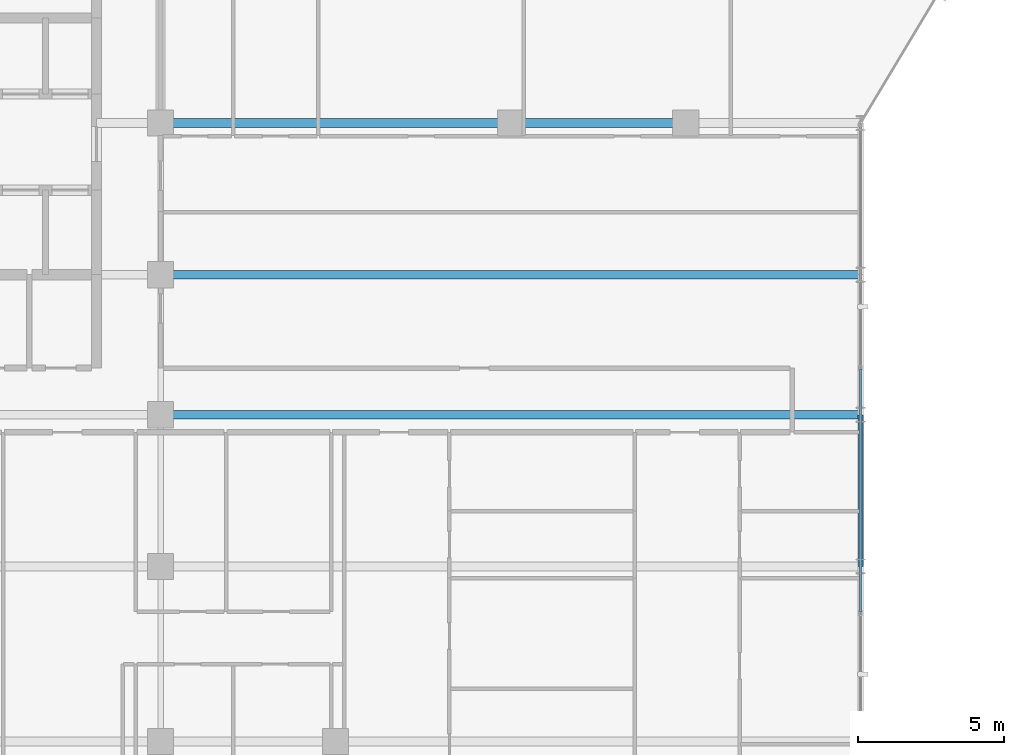
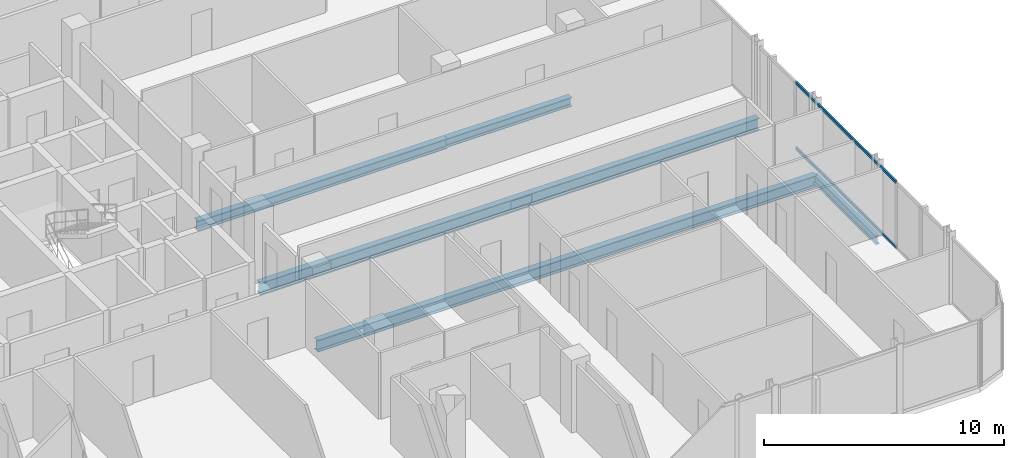
# One storey, part 12 of 31: 5 beams, 2 members, 1 element without a shape of its own.
"""IFC4 building model written with IfcOpenShell, lengths in metres."""

from ifc_helpers import new_model, si_unit, direction, frame, origin, origin_2d, place, context, subcontext, project, spatial, hollow_rectangle, i_section, extrude, material, layer, layer_set, material_profile, profile_set, type_object, element, aggregate, save


model = new_model("IFC4")

# Units and contexts
model_context = context("Model", 3, precision=1e-05, world=origin(), true_north=direction((0.0, 1.0)))
body_context = subcontext(model_context, "Body", "Model", "MODEL_VIEW")
ifc_project = project(units=[si_unit("LENGTHUNIT", "METRE"), si_unit("AREAUNIT", "SQUARE_METRE"), si_unit("VOLUMEUNIT", "CUBIC_METRE"), si_unit("PLANEANGLEUNIT", "RADIAN"), si_unit("MASSUNIT", "GRAM", prefix="KILO")], contexts=[model_context])

# Site, building, storey
site_placement = place(None, origin())
site = spatial("IfcSite", under=ifc_project, at=site_placement, CompositionType="ELEMENT")
building_placement = place(site_placement, origin())
building = spatial("IfcBuilding", under=site, at=building_placement, Name="Keshet Zoharim Tower", CompositionType="ELEMENT")
storey_placement = place(building_placement, frame((0.0, 0.0, 133.5)))
storey = spatial("IfcBuildingStorey", under=building, at=storey_placement, Name="L32", CompositionType="ELEMENT", Elevation=133.5)

# Beams
ifc_material_1 = material(Name="Steel S355", Category="steel")
ifc_material_profile_1 = material_profile(ifc_material_1, i_section(OverallWidth=0.300048828125, OverallDepth=0.60009765625, WebThickness=0.015380859375, FlangeThickness=0.030029296875, FilletRadius=0.027099609375, at=origin_2d()), Name="HEB600")
ifc_profile_set_1 = profile_set([ifc_material_profile_1], Name="Steel S355")
beam_type_1 = type_object("IfcBeamType", Name="BM-LNG-HB600", PredefinedType="BEAM", material=ifc_profile_set_1)
for number, where, z_axis, x_axis, name in (
    (1, (33.0, 17.89990234375, -0.614990234375), (1.0, 0.0, 0.0), (0.0, 1.0, 0.0), "L32 Primary Girder X-013"),
    (2, (33.0, 22.699951171875, -0.614990234375), (1.0, 0.0, 0.0), (0.0, 1.0, 0.0), "L32 Primary Girder X-014"),
):
    element("IfcBeam", number, at=place(storey_placement, frame(where, z_axis=z_axis, x_axis=x_axis)), inside=storey, type_object=beam_type_1, Name=name, PredefinedType="BEAM", context=body_context, shape_type="SweptSolid", body=[
        extrude(i_section(OverallWidth=0.300048828125, OverallDepth=0.60009765625, WebThickness=0.015380859375, FlangeThickness=0.030029296875, FilletRadius=0.027099609375, at=origin_2d()), origin(), (0.0, 0.0, 1.0), 24.0),
    ])
ifc_material_profile_2 = material_profile(ifc_material_1, i_section(OverallWidth=0.300048828125, OverallDepth=0.5, WebThickness=0.014404296875, FlangeThickness=0.028076171875, FilletRadius=0.027099609375, at=origin_2d()), Name="HEB500")
ifc_profile_set_2 = profile_set([ifc_material_profile_2], Name="Steel S355")
beam_type_2 = type_object("IfcBeamType", Name="BM-MED-HB500", PredefinedType="BEAM", material=ifc_profile_set_2)
beam_1_placement = place(storey_placement, frame((33.0, 27.89990234375, -0.56494140625), z_axis=(1.0, 0.0, 0.0), x_axis=(0.0, 1.0, 0.0)))
element("IfcBeam", 3, at=beam_1_placement, inside=storey, type_object=beam_type_2, Name="L32 Primary Girder X-015", PredefinedType="BEAM", context=body_context, shape_type="SweptSolid", body=[
    extrude(i_section(OverallWidth=0.300048828125, OverallDepth=0.5, WebThickness=0.014404296875, FlangeThickness=0.028076171875, FilletRadius=0.027099609375, at=origin_2d()), origin(), (0.0, 0.0, 1.0), 12.0),
])
ifc_material_profile_3 = material_profile(ifc_material_1, i_section(OverallWidth=0.18994140625, OverallDepth=0.449951171875, WebThickness=0.009521484375, FlangeThickness=0.0146484375, FilletRadius=0.02099609375, at=origin_2d()), Name="IPE450")
ifc_profile_set_3 = profile_set([ifc_material_profile_3], Name="Steel S355")
beam_type_3 = type_object("IfcBeamType", Name="BM-PRI-IP450", PredefinedType="BEAM", material=ifc_profile_set_3)
beam_2_placement = place(storey_placement, frame((57.0, 12.699951171875, -0.5400390625), z_axis=(0.0, 1.0, 0.0), x_axis=(-1.0, 0.0, 0.0)))
element("IfcBeam", 4, at=beam_2_placement, inside=storey, type_object=beam_type_3, Name="L32 Primary Girder Y-014", PredefinedType="BEAM", context=body_context, shape_type="SweptSolid", body=[
    extrude(i_section(OverallWidth=0.18994140625, OverallDepth=0.449951171875, WebThickness=0.009521484375, FlangeThickness=0.0146484375, FilletRadius=0.02099609375, at=origin_2d()), origin(), (0.0, 0.0, 1.0), 5.199951171875),
])
ifc_material_profile_4 = material_profile(ifc_material_1, i_section(OverallWidth=0.300048828125, OverallDepth=0.449951171875, WebThickness=0.013916015625, FlangeThickness=0.02587890625, FilletRadius=0.027099609375, at=origin_2d()), Name="HEB450")
ifc_profile_set_4 = profile_set([ifc_material_profile_4], Name="Steel S355")
beam_type_4 = type_object("IfcBeamType", Name="BM-WEB-HB450", PredefinedType="BEAM", material=ifc_profile_set_4)
beam_3_placement = place(storey_placement, frame((45.0, 27.89990234375, -0.5400390625), z_axis=(1.0, 0.0, 0.0), x_axis=(0.0, 1.0, 0.0)))
element("IfcBeam", 5, at=beam_3_placement, inside=storey, type_object=beam_type_4, Name="L32 Primary Girder X-016", PredefinedType="BEAM", context=body_context, shape_type="SweptSolid", body=[
    extrude(i_section(OverallWidth=0.300048828125, OverallDepth=0.449951171875, WebThickness=0.013916015625, FlangeThickness=0.02587890625, FilletRadius=0.027099609375, at=origin_2d()), origin(), (0.0, 0.0, 1.0), 6.0),
])

# Curtain wall, members
ifc_material_2 = material(Name="Aluminium 6063-T6", Category="aluminium")
ifc_layer = layer(ifc_material_2, 0.159912109375)
ifc_layer_set = layer_set([ifc_layer], Name="Aluminium 6063-T6")
curtain_wall_type = type_object("IfcCurtainWallType", Name="CW-SYS-03", PredefinedType="NOTDEFINED", material=ifc_layer_set)
curtain_wall_placement = place(storey_placement, origin())
curtain_wall = element("IfcCurtainWall", 6, at=curtain_wall_placement, inside=storey, type_object=curtain_wall_type, Name="L32 Unitised Curtain Wall 19", PredefinedType="NOTDEFINED")
ifc_material_profile_5 = material_profile(ifc_material_2, hollow_rectangle(XDim=0.080078125, YDim=0.139892578125, WallThickness=0.00390625, at=origin_2d()), Name="TRN-80x140")
ifc_profile_set_5 = profile_set([ifc_material_profile_5], Name="Aluminium 6063-T6")
member_type = type_object("IfcMemberType", Name="CWT-T14", PredefinedType="USERDEFINED", material=ifc_profile_set_5)
member_1_placement = place(storey_placement, frame((57.0, 19.465087890625, 0.034912109375), z_axis=(0.0, -1.0, 0.0), x_axis=(1.0, 0.0, 0.0)))
member_1 = element("IfcMember", 7, at=member_1_placement, type_object=member_type, Name="CW-03 transom 2.1", ObjectType="TRANSOM", PredefinedType="USERDEFINED", context=body_context, shape_type="SweptSolid", body=[
    extrude(hollow_rectangle(XDim=0.080078125, YDim=0.139892578125, WallThickness=0.00390625, at=origin_2d()), origin(), (0.0, 0.0, 1.0), 8.330078125),
])
member_2_placement = place(storey_placement, frame((57.0, 19.465087890625, 3.35009765625), z_axis=(0.0, -1.0, 0.0), x_axis=(1.0, 0.0, 0.0)))
member_2 = element("IfcMember", 8, at=member_2_placement, type_object=member_type, Name="CW-03 transom 2.2", ObjectType="TRANSOM", PredefinedType="USERDEFINED", context=body_context, shape_type="SweptSolid", body=[
    extrude(hollow_rectangle(XDim=0.080078125, YDim=0.139892578125, WallThickness=0.00390625, at=origin_2d()), origin(), (0.0, 0.0, 1.0), 8.330078125),
])
aggregate(curtain_wall, [member_1, member_2])

save(model, "model.ifc")
